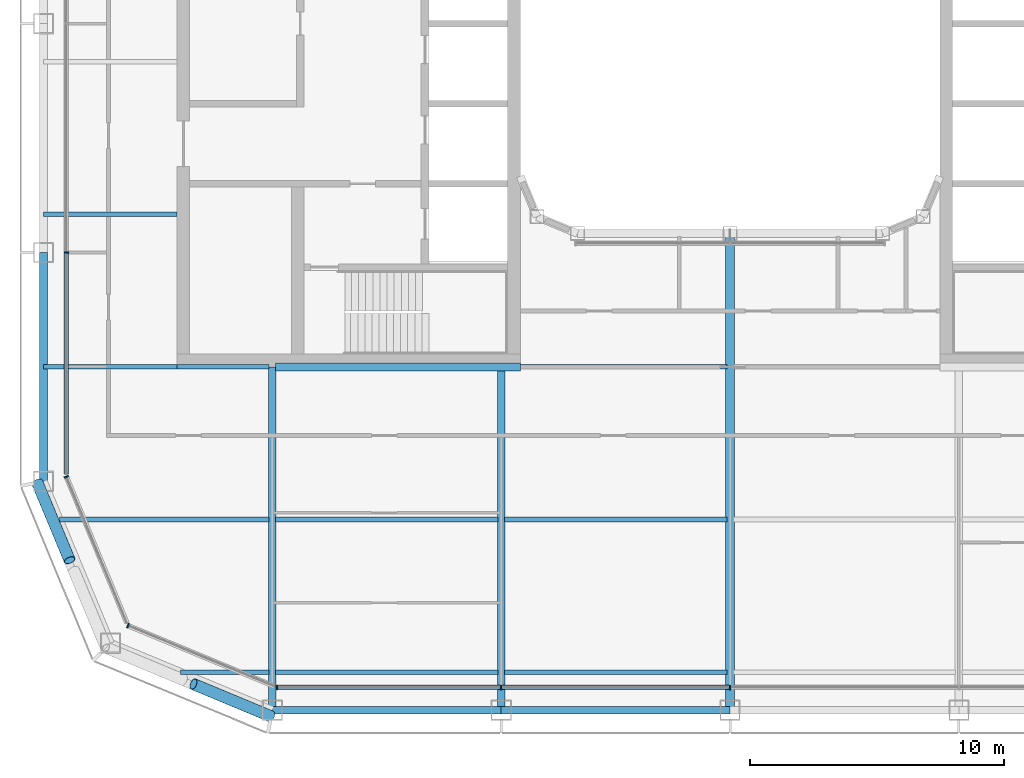
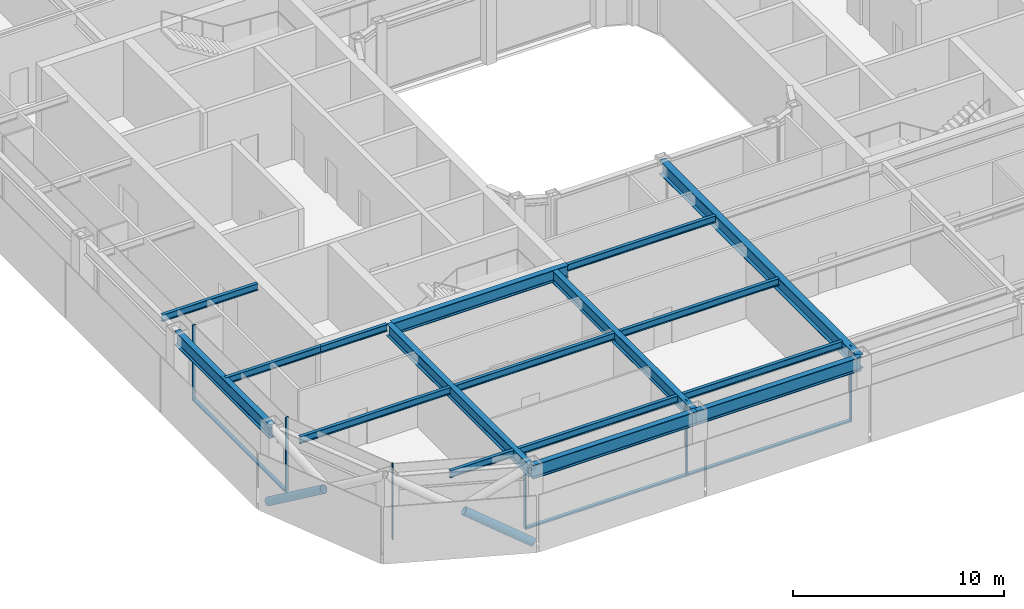
# One storey, part 2 of 19: 17 beams, 11 members, 4 elements without a shape of their own.
"""IFC4 building model written with IfcOpenShell, lengths in metres."""

from ifc_helpers import new_model, si_unit, direction, frame, origin, origin_2d, place, context, subcontext, project, spatial, rectangle, hollow_circle, i_section, extrude, material, layer, layer_set, material_profile, profile_set, type_object, element, aggregate, save


model = new_model("IFC4")

# Units and contexts
model_context = context("Model", 3, precision=1e-05, world=origin(), true_north=direction((0.0, 1.0)))
body_context = subcontext(model_context, "Body", "Model", "MODEL_VIEW")
ifc_project = project(units=[si_unit("LENGTHUNIT", "METRE"), si_unit("AREAUNIT", "SQUARE_METRE"), si_unit("VOLUMEUNIT", "CUBIC_METRE"), si_unit("PLANEANGLEUNIT", "RADIAN"), si_unit("MASSUNIT", "GRAM", prefix="KILO")], contexts=[model_context])

# Site, building, storey
site_placement = place(None, origin())
site = spatial("IfcSite", under=ifc_project, at=site_placement, CompositionType="ELEMENT")
building_placement = place(site_placement, origin())
building = spatial("IfcBuilding", under=site, at=building_placement, Name="Siwar Civic Tower", CompositionType="ELEMENT")
storey_placement = place(building_placement, frame((0.0, 0.0, 264.699951171875)))
storey = spatial("IfcBuildingStorey", under=building, at=storey_placement, Name="L57", CompositionType="ELEMENT", Elevation=264.699951171875)

# Curtain wall, members
ifc_material_1 = material(Name="Aluminium and glass", Category="aluminium")
ifc_layer_1 = layer(ifc_material_1, 0.179931640625)
ifc_layer_set_1 = layer_set([ifc_layer_1], Name="Aluminium and glass")
curtain_wall_type_1 = type_object("IfcCurtainWallType", Name="ENV-CW-C", PredefinedType="NOTDEFINED", material=ifc_layer_set_1)
curtain_wall_1_placement = place(storey_placement, origin())
curtain_wall_1 = element("IfcCurtainWall", 1, at=curtain_wall_1_placement, inside=storey, type_object=curtain_wall_type_1, Name="Curtain wall C S", PredefinedType="NOTDEFINED")
ifc_material_2 = material(Name="Aluminium 6063-T6", Category="aluminium")
ifc_material_profile_1 = material_profile(ifc_material_2, rectangle(XDim=0.179931640625, YDim=0.06005859375, at=origin_2d()), Name="AL 180x60")
ifc_profile_set_1 = profile_set([ifc_material_profile_1], Name="Aluminium 6063-T6")
member_type_1 = type_object("IfcMemberType", Name="ENV-MULLION-C", PredefinedType="MULLION", material=ifc_profile_set_1)
member_1_placement = place(storey_placement, frame((-17.821044921875, -26.10009765625, 0.0), z_axis=(0.0, 0.0, 1.0), x_axis=(0.0, 1.0, 0.0)))
member_1 = element("IfcMember", 2, at=member_1_placement, type_object=member_type_1, Name="Mullion C S 1", PredefinedType="MULLION", context=body_context, shape_type="SweptSolid", body=[
    extrude(rectangle(XDim=0.179931640625, YDim=0.06005859375, at=origin_2d()), origin(), (0.0, 0.0, 1.0), 4.35009765625),
])
member_2_placement = place(storey_placement, frame((-9.0, -26.10009765625, 0.0), z_axis=(0.0, 0.0, 1.0), x_axis=(0.0, 1.0, 0.0)))
member_2 = element("IfcMember", 3, at=member_2_placement, type_object=member_type_1, Name="Mullion C S 2", PredefinedType="MULLION", context=body_context, shape_type="SweptSolid", body=[
    extrude(rectangle(XDim=0.179931640625, YDim=0.06005859375, at=origin_2d()), origin(), (0.0, 0.0, 1.0), 4.35009765625),
])
member_3_placement = place(storey_placement, frame((0.0, -26.10009765625, 0.0), z_axis=(0.0, 0.0, 1.0), x_axis=(0.0, 1.0, 0.0)))
member_3 = element("IfcMember", 4, at=member_3_placement, type_object=member_type_1, Name="Mullion C S 3", PredefinedType="MULLION", context=body_context, shape_type="SweptSolid", body=[
    extrude(rectangle(XDim=0.179931640625, YDim=0.06005859375, at=origin_2d()), origin(), (0.0, 0.0, 1.0), 4.35009765625),
])

# Curtain wall, member
curtain_wall_2_placement = place(storey_placement, origin())
curtain_wall_2 = element("IfcCurtainWall", 5, at=curtain_wall_2_placement, inside=storey, type_object=curtain_wall_type_1, Name="Curtain wall C W", PredefinedType="NOTDEFINED")
member_4_placement = place(storey_placement, frame((-26.10009765625, -9.0, 0.0), z_axis=(0.0, 0.0, 1.0), x_axis=(1.0, 0.0, 0.0)))
member_4 = element("IfcMember", 6, at=member_4_placement, type_object=member_type_1, Name="Mullion C W 4", PredefinedType="MULLION", context=body_context, shape_type="SweptSolid", body=[
    extrude(rectangle(XDim=0.179931640625, YDim=0.06005859375, at=origin_2d()), origin(), (0.0, 0.0, 1.0), 4.35009765625),
])

ifc_material_3 = material(Name="Aluminium clad insulated panel", Category="aluminium")
ifc_layer_2 = layer(ifc_material_3, 0.179931640625)
ifc_layer_set_2 = layer_set([ifc_layer_2], Name="Aluminium clad insulated panel")
curtain_wall_type_2 = type_object("IfcCurtainWallType", Name="ENV-CW-CX", PredefinedType="NOTDEFINED", material=ifc_layer_set_2)
curtain_wall_3_placement = place(storey_placement, origin())
curtain_wall_3 = element("IfcCurtainWall", 7, at=curtain_wall_3_placement, inside=storey, type_object=curtain_wall_type_2, Name="Curtain wall C SW1", PredefinedType="NOTDEFINED")
member_5_placement = place(storey_placement, frame((-26.10009765625, -17.821044921875, 0.0), z_axis=(0.0, 0.0, 1.0), x_axis=(0.923879532511, 0.382683432365, 0.0)))
member_5 = element("IfcMember", 8, at=member_5_placement, type_object=member_type_1, Name="Mullion C SW1 1", PredefinedType="MULLION", context=body_context, shape_type="SweptSolid", body=[
    extrude(rectangle(XDim=0.179931640625, YDim=0.06005859375, at=origin_2d()), origin(), (0.0, 0.0, 1.0), 4.35009765625),
])
aggregate(curtain_wall_3, [member_5])

curtain_wall_4_placement = place(storey_placement, origin())
curtain_wall_4 = element("IfcCurtainWall", 9, at=curtain_wall_4_placement, inside=storey, type_object=curtain_wall_type_2, Name="Curtain wall C SW2", PredefinedType="NOTDEFINED")
member_6_placement = place(storey_placement, frame((-23.675048828125, -23.675048828125, 0.0), z_axis=(0.0, 0.0, 1.0), x_axis=(0.382683432365, 0.923879532511, 0.0)))
member_6 = element("IfcMember", 10, at=member_6_placement, type_object=member_type_1, Name="Mullion C SW2 1", PredefinedType="MULLION", context=body_context, shape_type="SweptSolid", body=[
    extrude(rectangle(XDim=0.179931640625, YDim=0.06005859375, at=origin_2d()), origin(), (0.0, 0.0, 1.0), 4.35009765625),
])
aggregate(curtain_wall_4, [member_6])

# Member
ifc_material_4 = material(Name="Aluminium 6063-T6", Category="aluminium")
ifc_material_profile_2 = material_profile(ifc_material_4, rectangle(XDim=0.179931640625, YDim=0.10009765625, at=origin_2d()), Name="AL 180x100")
ifc_profile_set_2 = profile_set([ifc_material_profile_2], Name="Aluminium 6063-T6")
member_type_2 = type_object("IfcMemberType", Name="ENV-TRANSOM-C", PredefinedType="USERDEFINED", material=ifc_profile_set_2)
member_7_placement = place(storey_placement, frame((-17.791015625, -26.10009765625, 0.050048828125), z_axis=(1.0, 0.0, 0.0), x_axis=(0.0, 1.0, 0.0)))
member_7 = element("IfcMember", 11, at=member_7_placement, type_object=member_type_2, Name="Transom C S 1", ObjectType="TRANSOM", PredefinedType="USERDEFINED", context=body_context, shape_type="SweptSolid", body=[
    extrude(rectangle(XDim=0.179931640625, YDim=0.10009765625, at=origin_2d()), origin(), (0.0, 0.0, 1.0), 8.760986328125),
])

member_8_placement = place(storey_placement, frame((-8.969970703125, -26.10009765625, 0.050048828125), z_axis=(1.0, 0.0, 0.0), x_axis=(0.0, 1.0, 0.0)))
member_8 = element("IfcMember", 12, at=member_8_placement, type_object=member_type_2, Name="Transom C S 2", ObjectType="TRANSOM", PredefinedType="USERDEFINED", context=body_context, shape_type="SweptSolid", body=[
    extrude(rectangle(XDim=0.179931640625, YDim=0.10009765625, at=origin_2d()), origin(), (0.0, 0.0, 1.0), 8.93994140625),
])

aggregate(curtain_wall_1, [member_1, member_2, member_3, member_7, member_8])

member_9_placement = place(storey_placement, frame((-26.10009765625, -9.030029296875, 0.050048828125), z_axis=(0.0, -1.0, 0.0), x_axis=(1.0, 0.0, 0.0)))
member_9 = element("IfcMember", 13, at=member_9_placement, type_object=member_type_2, Name="Transom C W 4", ObjectType="TRANSOM", PredefinedType="USERDEFINED", context=body_context, shape_type="SweptSolid", body=[
    extrude(rectangle(XDim=0.179931640625, YDim=0.10009765625, at=origin_2d()), origin(), (0.0, 0.0, 1.0), 8.68603515625),
])

aggregate(curtain_wall_2, [member_4, member_9])

# Members
ifc_material_5 = material(Name="Steel S355", Category="steel")
ifc_material_profile_3 = material_profile(ifc_material_5, hollow_circle(Radius=0.228515625, WallThickness=0.02001953125, at=origin_2d()), Name="CHS457x20")
ifc_profile_set_3 = profile_set([ifc_material_profile_3], Name="Steel S355")
member_type_3 = type_object("IfcMemberType", Name="STR-BR-CHS457x20", PredefinedType="BRACE", material=ifc_profile_set_3)
for number, where, z_axis, x_axis, name in (
    (14, (-18.048828125, -27.2451171875, 0.0), (-0.777546448489, 0.323884455881, 0.538999424564), (-0.38452107079, -0.92311621485, 0.0), "L57/brc/CSW1-17-0-2"),
    (15, (-27.2451171875, -18.048828125, 0.0), (0.323884455881, -0.777546448489, 0.538999424564), (0.92311621485, 0.38452107079, 0.0), "L57/brc/CSW1-17-0-4"),
):
    element("IfcMember", number, at=place(storey_placement, frame(where, z_axis=z_axis, x_axis=x_axis)), inside=storey, type_object=member_type_3, Name=name, PredefinedType="BRACE", context=body_context, shape_type="SweptSolid", body=[
        extrude(hollow_circle(Radius=0.228515625, WallThickness=0.02001953125, at=origin_2d()), origin(), (0.0, 0.0, 1.0), 3.927978515625),
    ])

# Beams
ifc_material_6 = material(Name="Steel S355", Category="steel")
ifc_material_profile_4 = material_profile(ifc_material_6, i_section(OverallWidth=0.179931640625, OverallDepth=0.39990234375, WebThickness=0.008544921875, FlangeThickness=0.013427734375, FilletRadius=0.02099609375, at=origin_2d()), Name="IPE400")
ifc_profile_set_4 = profile_set([ifc_material_profile_4], Name="Steel S355")
beam_type_1 = type_object("IfcBeamType", Name="STR-FB-IPE400", PredefinedType="JOIST", material=ifc_profile_set_4)
beam_1_placement = place(storey_placement, frame((-21.621337890625, -25.5, 4.150146484375), z_axis=(1.0, 0.0, 0.0), x_axis=(0.0, 1.0, 0.0)))
element("IfcBeam", 16, at=beam_1_placement, inside=storey, type_object=beam_type_1, Name="L57/bm/F001", PredefinedType="JOIST", context=body_context, shape_type="SweptSolid", body=[
    extrude(i_section(OverallWidth=0.179931640625, OverallDepth=0.39990234375, WebThickness=0.008544921875, FlangeThickness=0.013427734375, FilletRadius=0.02099609375, at=origin_2d()), origin(), (0.0, 0.0, 1.0), 3.491455078125),
])
for number, where, z_axis, x_axis, name in (
    (17, (-17.8701171875, -25.5, 4.150146484375), (1.0, 0.0, 0.0), (0.0, 1.0, 0.0), "L57/bm/F002"),
    (18, (-8.8701171875, -25.5, 4.150146484375), (1.0, 0.0, 0.0), (0.0, 1.0, 0.0), "L57/bm/F003"),
):
    element("IfcBeam", number, at=place(storey_placement, frame(where, z_axis=z_axis, x_axis=x_axis)), inside=storey, type_object=beam_type_1, Name=name, PredefinedType="JOIST", context=body_context, shape_type="SweptSolid", body=[
        extrude(i_section(OverallWidth=0.179931640625, OverallDepth=0.39990234375, WebThickness=0.008544921875, FlangeThickness=0.013427734375, FilletRadius=0.02099609375, at=origin_2d()), origin(), (0.0, 0.0, 1.0), 8.740234375),
    ])
beam_2_placement = place(storey_placement, frame((-26.378662109375, -19.5, 4.150146484375), z_axis=(1.0, 0.0, 0.0), x_axis=(0.0, 1.0, 0.0)))
element("IfcBeam", 19, at=beam_2_placement, inside=storey, type_object=beam_type_1, Name="L57/bm/F007", PredefinedType="JOIST", context=body_context, shape_type="SweptSolid", body=[
    extrude(i_section(OverallWidth=0.179931640625, OverallDepth=0.39990234375, WebThickness=0.008544921875, FlangeThickness=0.013427734375, FilletRadius=0.02099609375, at=origin_2d()), origin(), (0.0, 0.0, 1.0), 8.248779296875),
])
for number, where, z_axis, x_axis, name in (
    (20, (-17.8701171875, -19.5, 4.150146484375), (1.0, 0.0, 0.0), (0.0, 1.0, 0.0), "L57/bm/F008"),
    (21, (-8.8701171875, -19.5, 4.150146484375), (1.0, 0.0, 0.0), (0.0, 1.0, 0.0), "L57/bm/F009"),
):
    element("IfcBeam", number, at=place(storey_placement, frame(where, z_axis=z_axis, x_axis=x_axis)), inside=storey, type_object=beam_type_1, Name=name, PredefinedType="JOIST", context=body_context, shape_type="SweptSolid", body=[
        extrude(i_section(OverallWidth=0.179931640625, OverallDepth=0.39990234375, WebThickness=0.008544921875, FlangeThickness=0.013427734375, FilletRadius=0.02099609375, at=origin_2d()), origin(), (0.0, 0.0, 1.0), 8.740234375),
    ])
beam_3_placement = place(storey_placement, frame((-27.0, -13.5, 4.150146484375), z_axis=(1.0, 0.0, 0.0), x_axis=(0.0, 1.0, 0.0)))
element("IfcBeam", 22, at=beam_3_placement, inside=storey, type_object=beam_type_1, Name="L57/bm/F013", PredefinedType="JOIST", context=body_context, shape_type="SweptSolid", body=[
    extrude(i_section(OverallWidth=0.179931640625, OverallDepth=0.39990234375, WebThickness=0.008544921875, FlangeThickness=0.013427734375, FilletRadius=0.02099609375, at=origin_2d()), origin(), (0.0, 0.0, 1.0), 5.25),
])
beam_4_placement = place(storey_placement, frame((-21.75, -13.5, 4.150146484375), z_axis=(1.0, 0.0, 0.0), x_axis=(0.0, 1.0, 0.0)))
element("IfcBeam", 23, at=beam_4_placement, inside=storey, type_object=beam_type_1, Name="L57/bm/F014", PredefinedType="JOIST", context=body_context, shape_type="SweptSolid", body=[
    extrude(i_section(OverallWidth=0.179931640625, OverallDepth=0.39990234375, WebThickness=0.008544921875, FlangeThickness=0.013427734375, FilletRadius=0.02099609375, at=origin_2d()), origin(), (0.0, 0.0, 1.0), 3.6201171875),
])
beam_5_placement = place(storey_placement, frame((-8.25, -13.5, 4.150146484375), z_axis=(1.0, 0.0, 0.0), x_axis=(0.0, 1.0, 0.0)))
element("IfcBeam", 24, at=beam_5_placement, inside=storey, type_object=beam_type_1, Name="L57/bm/F016", PredefinedType="JOIST", context=body_context, shape_type="SweptSolid", body=[
    extrude(i_section(OverallWidth=0.179931640625, OverallDepth=0.39990234375, WebThickness=0.008544921875, FlangeThickness=0.013427734375, FilletRadius=0.02099609375, at=origin_2d()), origin(), (0.0, 0.0, 1.0), 8.1201171875),
])
beam_6_placement = place(storey_placement, frame((-27.0, -7.5, 4.150146484375), z_axis=(1.0, 0.0, 0.0), x_axis=(0.0, 1.0, 0.0)))
element("IfcBeam", 25, at=beam_6_placement, inside=storey, type_object=beam_type_1, Name="L57/bm/F021", PredefinedType="JOIST", context=body_context, shape_type="SweptSolid", body=[
    extrude(i_section(OverallWidth=0.179931640625, OverallDepth=0.39990234375, WebThickness=0.008544921875, FlangeThickness=0.013427734375, FilletRadius=0.02099609375, at=origin_2d()), origin(), (0.0, 0.0, 1.0), 5.25),
])
ifc_material_7 = material(Name="Steel S355", Category="steel")
ifc_material_profile_5 = material_profile(ifc_material_7, i_section(OverallWidth=0.300048828125, OverallDepth=0.699951171875, WebThickness=0.01708984375, FlangeThickness=0.031982421875, FilletRadius=0.027099609375, at=origin_2d()), Name="HEB700")
ifc_profile_set_5 = profile_set([ifc_material_profile_5], Name="Steel S355")
beam_type_2 = type_object("IfcBeamType", Name="STR-PG-HEB700", PredefinedType="BEAM", material=ifc_profile_set_5)
for number, where, z_axis, x_axis, name in (
    (26, (-18.0, -27.0, 4.0), (0.0, 1.0, 0.0), (-1.0, 0.0, 0.0), "L57/bm/G01"),
    (27, (-9.0, -27.0, 4.0), (0.0, 1.0, 0.0), (-1.0, 0.0, 0.0), "L57/bm/G03"),
):
    element("IfcBeam", number, at=place(storey_placement, frame(where, z_axis=z_axis, x_axis=x_axis)), inside=storey, type_object=beam_type_2, Name=name, PredefinedType="BEAM", context=body_context, shape_type="SweptSolid", body=[
        extrude(i_section(OverallWidth=0.300048828125, OverallDepth=0.699951171875, WebThickness=0.01708984375, FlangeThickness=0.031982421875, FilletRadius=0.027099609375, at=origin_2d()), origin(), (0.0, 0.0, 1.0), 13.5),
    ])
beam_7_placement = place(storey_placement, frame((-17.8701171875, -13.5, 4.0), z_axis=(1.0, 0.0, 0.0), x_axis=(0.0, 1.0, 0.0)))
element("IfcBeam", 28, at=beam_7_placement, inside=storey, type_object=beam_type_2, Name="L57/bm/F015", PredefinedType="BEAM", context=body_context, shape_type="SweptSolid", body=[
    extrude(i_section(OverallWidth=0.300048828125, OverallDepth=0.699951171875, WebThickness=0.01708984375, FlangeThickness=0.031982421875, FilletRadius=0.027099609375, at=origin_2d()), origin(), (0.0, 0.0, 1.0), 9.6201171875),
])
ifc_material_8 = material(Name="Steel S355", Category="steel")
ifc_material_profile_6 = material_profile(ifc_material_8, i_section(OverallWidth=0.360107421875, OverallDepth=0.800048828125, WebThickness=0.013916015625, FlangeThickness=0.031982421875, at=origin_2d()), Name="PG800x360x14x32")
ifc_profile_set_6 = profile_set([ifc_material_profile_6], Name="Steel S355")
beam_type_3 = type_object("IfcBeamType", Name="STR-PG-PG800x360x14x32", PredefinedType="BEAM", material=ifc_profile_set_6)
beam_8_placement = place(storey_placement, frame((0.0, -27.0, 3.949951171875), z_axis=(0.0, 1.0, 0.0), x_axis=(-1.0, 0.0, 0.0)))
element("IfcBeam", 29, at=beam_8_placement, inside=storey, type_object=beam_type_3, Name="L57/bm/G05", PredefinedType="BEAM", context=body_context, shape_type="SweptSolid", body=[
    extrude(i_section(OverallWidth=0.360107421875, OverallDepth=0.800048828125, WebThickness=0.013916015625, FlangeThickness=0.031982421875, at=origin_2d()), origin(), (0.0, 0.0, 1.0), 18.75),
])
ifc_material_9 = material(Name="Steel S355", Category="steel")
ifc_material_profile_7 = material_profile(ifc_material_9, i_section(OverallWidth=0.300048828125, OverallDepth=0.800048828125, WebThickness=0.017578125, FlangeThickness=0.032958984375, FilletRadius=0.030029296875, at=origin_2d()), Name="HEB800")
ifc_profile_set_7 = profile_set([ifc_material_profile_7], Name="Steel S355")
beam_type_4 = type_object("IfcBeamType", Name="STR-SB-HEB800", PredefinedType="BEAM", material=ifc_profile_set_7)
for number, where, z_axis, x_axis, name in (
    (30, (-18.0, -27.0, 3.949951171875), (1.0, 0.0, 0.0), (0.0, 1.0, 0.0), "L57/bm/SS-0"),
    (31, (-9.0, -27.0, 3.949951171875), (1.0, 0.0, 0.0), (0.0, 1.0, 0.0), "L57/bm/SS-1"),
    (32, (-27.0, -9.0, 3.949951171875), (0.0, -1.0, 0.0), (1.0, 0.0, 0.0), "L57/bm/SW-3"),
):
    element("IfcBeam", number, at=place(storey_placement, frame(where, z_axis=z_axis, x_axis=x_axis)), inside=storey, type_object=beam_type_4, Name=name, PredefinedType="BEAM", context=body_context, shape_type="SweptSolid", body=[
        extrude(i_section(OverallWidth=0.300048828125, OverallDepth=0.800048828125, WebThickness=0.017578125, FlangeThickness=0.032958984375, FilletRadius=0.030029296875, at=origin_2d()), origin(), (0.0, 0.0, 1.0), 9.0),
    ])

save(model, "model.ifc")
